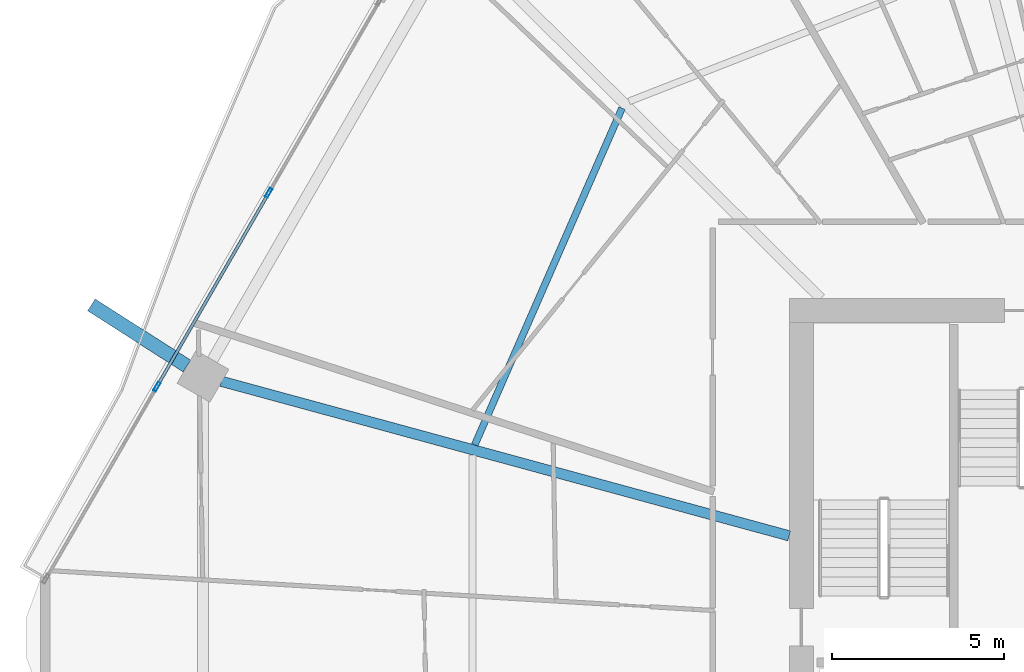
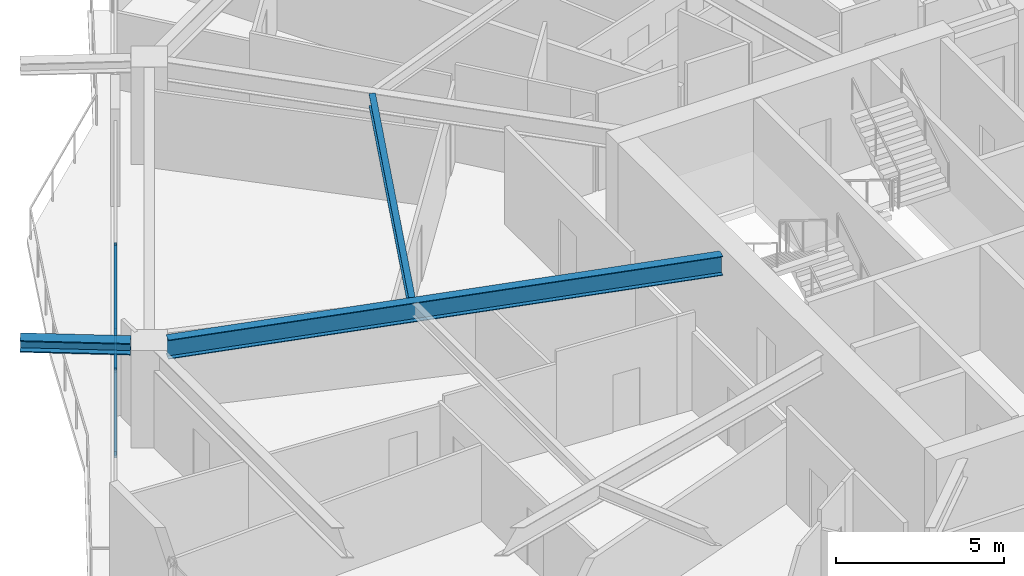
# One storey, part 13 of 33: 4 members, 3 beams, 1 element without a shape of its own.
"""IFC4 building model written with IfcOpenShell, lengths in metres."""

import ifcopenshell
import ifcopenshell.guid

model = None  # the IFC model being written
_history = None  # IfcOwnerHistory: only IFC2X3 demands one
_inside = {}  # id of a spatial element -> (the spatial element, [elements in it])
_under = {}  # id of a project, library or spatial element -> (it, [spatial elements below it])
_declared = {}  # id of a project -> (the project, [libraries it declares])
_typed = {}  # id of a type object -> (the type object, [elements of that type])
_made_of = {}  # id of a material, layer set ... -> (it, [elements and type objects made of it])


def new_model(schema):
    """Start an empty IFC model of exactly this schema.

    Asked for "IFC4X3", IfcOpenShell would pick the latest addendum, in which some entities
    have other attributes; the version numbers below select the first issue.
    IFC2X3 requires an IfcOwnerHistory on every rooted entity: one is made here for all.
    """
    global model, _history
    if schema == "IFC4X3":
        model = ifcopenshell.file(schema_version=(4, 3, 0, 0))
    else:
        model = ifcopenshell.file(schema=schema)
    _inside.clear()
    _under.clear()
    _declared.clear()
    _typed.clear()
    _made_of.clear()
    _history = None
    if model.schema == "IFC2X3":
        org = make("IfcOrganization", Name="unknown")
        user = make(
            "IfcPersonAndOrganization",
            ThePerson=make("IfcPerson", FamilyName="unknown"),
            TheOrganization=org,
        )
        app = make(
            "IfcApplication",
            ApplicationDeveloper=org,
            Version="unknown",
            ApplicationFullName="unknown",
            ApplicationIdentifier="unknown",
        )
        _history = make(
            "IfcOwnerHistory",
            OwningUser=user,
            OwningApplication=app,
            ChangeAction="ADDED",
            CreationDate=0,
        )
    return model


def make(cls, **values):
    """One entity of the class cls with the attributes given. An attribute that is None is left unset."""
    return model.create_entity(
        cls, **{name: value for name, value in values.items() if value is not None}
    )


def rooted(cls, **values):
    """An entity with a GlobalId (a new one), such as an element, a storey or a relation."""
    return make(cls, GlobalId=ifcopenshell.guid.new(), OwnerHistory=_history, **values)


def si_unit(unit_type, name, prefix=None):
    """IfcSIUnit, for example si_unit("LENGTHUNIT", "METRE", prefix="MILLI")."""
    return make("IfcSIUnit", UnitType=unit_type, Prefix=prefix, Name=name)


def assignment(units):
    """IfcUnitAssignment: the units of a project."""
    return None if units is None else make("IfcUnitAssignment", Units=units)


def point(xyz):
    """IfcCartesianPoint."""
    return None if xyz is None else make("IfcCartesianPoint", Coordinates=xyz)


def direction(xyz):
    """IfcDirection."""
    return None if xyz is None else make("IfcDirection", DirectionRatios=xyz)


def frame(location, z_axis=None, x_axis=None):
    """IfcAxis2Placement3D, a coordinate frame: its origin and axes. An axis left out is left unset."""
    return make(
        "IfcAxis2Placement3D",
        Location=point(location),
        Axis=direction(z_axis),
        RefDirection=direction(x_axis),
    )


def frame_2d(location, x_axis=None):
    """IfcAxis2Placement2D, a coordinate frame in the plane: its origin and x axis."""
    return make(
        "IfcAxis2Placement2D", Location=point(location), RefDirection=direction(x_axis)
    )


def origin():
    """The frame at (0, 0, 0) with its axes left unset."""
    return frame((0.0, 0.0, 0.0))


def origin_2d():
    """The frame at (0, 0) in the plane with its x axis left unset."""
    return frame_2d((0.0, 0.0))


def place(relative_to, where):
    """IfcLocalPlacement: puts the frame where relative to a parent placement (None: the world)."""
    return make(
        "IfcLocalPlacement", PlacementRelTo=relative_to, RelativePlacement=where
    )


def context(
    kind, dimensions, precision=None, world=None, true_north=None, identifier=None
):
    """IfcGeometricRepresentationContext, for example the 3D "Model" context."""
    return make(
        "IfcGeometricRepresentationContext",
        ContextIdentifier=identifier,
        ContextType=kind,
        CoordinateSpaceDimension=dimensions,
        Precision=precision,
        WorldCoordinateSystem=world,
        TrueNorth=true_north,
    )


def subcontext(parent, identifier, kind, view, scale=None):
    """IfcGeometricRepresentationSubContext, for example "Body" below "Model"."""
    return make(
        "IfcGeometricRepresentationSubContext",
        ContextIdentifier=identifier,
        ContextType=kind,
        ParentContext=parent,
        TargetScale=scale,
        TargetView=view,
    )


def project(units=None, contexts=None):
    """IfcProject with its units and contexts."""
    return rooted(
        "IfcProject",
        Name="project",
        RepresentationContexts=contexts,
        UnitsInContext=assignment(units),
    )


def spatial(cls, under=None, at=None, **own):
    """A site, building, storey or space (cls), placed at a placement, below another one or the project."""
    s = rooted(cls, ObjectPlacement=at, **own)
    if under is not None:
        _under.setdefault(under.id(), (under, []))[1].append(s)
    return s


def profile(cls, at=None, kind="AREA", **sizes):
    """A parametric profile (cls). Its sizes go by their IFC names, for example OverallWidth=200.0."""
    return make(cls, ProfileType=kind, Position=at, **sizes)


def hollow_rectangle(**sizes):
    """IfcRectangleHollowProfileDef."""
    return profile("IfcRectangleHollowProfileDef", **sizes)


def i_section(**sizes):
    """IfcIShapeProfileDef."""
    return profile("IfcIShapeProfileDef", **sizes)


def extrude(swept, where, along, depth):
    """IfcExtrudedAreaSolid: the profile swept, set in the frame where, extruded along a direction by depth."""
    return make(
        "IfcExtrudedAreaSolid",
        SweptArea=swept,
        Position=where,
        ExtrudedDirection=direction(along),
        Depth=depth,
    )


def shape(context_of_items, identifier, shape_type, items):
    """IfcShapeRepresentation: the items that make up one representation, for example the "Body"."""
    return make(
        "IfcShapeRepresentation",
        ContextOfItems=context_of_items,
        RepresentationIdentifier=identifier,
        RepresentationType=shape_type,
        Items=items,
    )


def material(Name=None, Category=None):
    """IfcMaterial."""
    return make("IfcMaterial", Name=Name, Category=Category)


def material_profile(
    of_material, cross_section, Name=None, Category=None, Priority=None
):
    """IfcMaterialProfile: a cross section and its material."""
    return make(
        "IfcMaterialProfile",
        Name=Name,
        Material=of_material,
        Profile=cross_section,
        Priority=Priority,
        Category=Category,
    )


def profile_set(profiles, Name=None, composite=None):
    """IfcMaterialProfileSet."""
    return make(
        "IfcMaterialProfileSet",
        Name=Name,
        MaterialProfiles=profiles,
        CompositeProfile=composite,
    )


def made_of(thing, what):
    """Note that an element or type object is made of a material, layer set ...; save() writes the relation."""
    if what is not None:
        _made_of.setdefault(what.id(), (what, []))[1].append(thing)
    return thing


def type_object(cls, material=None, **own):
    """A type object (cls), such as IfcWallType, which elements share."""
    return made_of(rooted(cls, **own), material)


def element(
    cls,
    number,
    at=None,
    inside=None,
    cuts=None,
    type_object=None,
    material=None,
    context=None,
    identifier="Body",
    shape_type=None,
    held_by="IfcProductDefinitionShape",
    body=None,
    shapes=None,
    **own,
):
    """One element of the class cls, such as IfcWall. Its Tag is "e" and its number.

    at: its placement. inside: the storey or other place that contains it. cuts: it is an
    opening in that element (IfcRelVoidsElement). A single representation is given by context,
    identifier, shape_type and body (its items); several are given by shapes. held_by: the class
    of the entity that holds the representations. save() writes the other relations.
    """
    e = rooted(cls, Tag="e%d" % number, ObjectPlacement=at, **own)
    if body is not None:
        shapes = [shape(context, identifier, shape_type, body)]
    if shapes is not None:
        e.Representation = make(held_by, Representations=shapes)
    if inside is not None:
        _inside.setdefault(inside.id(), (inside, []))[1].append(e)
    if cuts is not None:
        rooted(
            "IfcRelVoidsElement", RelatingBuildingElement=cuts, RelatedOpeningElement=e
        )
    if type_object is not None:
        _typed.setdefault(type_object.id(), (type_object, []))[1].append(e)
    return made_of(e, material)


def aggregate(whole, parts):
    """IfcRelAggregates: a whole, such as a stair, and the parts it consists of."""
    return rooted("IfcRelAggregates", RelatingObject=whole, RelatedObjects=parts)


def save(model, path):
    """Write the relations noted so far, then the file.

    IfcRelAggregates (storeys below a building ...), IfcRelContainedInSpatialStructure (elements
    in a storey), IfcRelDefinesByType, IfcRelAssociatesMaterial and IfcRelDeclares: one each for
    every whole, place, type object, material and project.
    """
    for whole, parts in _under.values():
        aggregate(whole, parts)
    for where, things in _inside.values():
        rooted(
            "IfcRelContainedInSpatialStructure",
            RelatedElements=things,
            RelatingStructure=where,
        )
    for kind, things in _typed.values():
        rooted("IfcRelDefinesByType", RelatedObjects=things, RelatingType=kind)
    for what, things in _made_of.values():
        rooted("IfcRelAssociatesMaterial", RelatedObjects=things, RelatingMaterial=what)
    for by, libraries in _declared.values():
        rooted("IfcRelDeclares", RelatingContext=by, RelatedDefinitions=libraries)
    model.write(path)


model = new_model("IFC4")

# Units and contexts
model_context = context("Model", 3, precision=1e-05, world=origin(), true_north=direction((0.0, 1.0)))
body_context = subcontext(model_context, "Body", "Model", "MODEL_VIEW")
ifc_project = project(units=[si_unit("LENGTHUNIT", "METRE"), si_unit("AREAUNIT", "SQUARE_METRE"), si_unit("VOLUMEUNIT", "CUBIC_METRE"), si_unit("PLANEANGLEUNIT", "RADIAN"), si_unit("MASSUNIT", "GRAM", prefix="KILO")], contexts=[model_context])

# Site, building, storey
site_placement = place(None, origin())
site = spatial("IfcSite", under=ifc_project, at=site_placement, CompositionType="ELEMENT")
building_placement = place(site_placement, origin())
building = spatial("IfcBuilding", under=site, at=building_placement, Name="Zuhravey Tower", CompositionType="ELEMENT")
storey_placement = place(building_placement, frame((0.0, 0.0, 96.199951171875)))
storey = spatial("IfcBuildingStorey", under=building, at=storey_placement, Name="L23", CompositionType="ELEMENT", Elevation=96.199951171875)

# Curtain wall, members
ifc_material_1 = material(Name="Thermally broken anodised aluminium", Category="aluminium")
curtain_wall_type = type_object("IfcCurtainWallType", Name="Zone 1-2 Residential Curtain Wall CW3", PredefinedType="NOTDEFINED", material=ifc_material_1)
curtain_wall_placement = place(storey_placement, origin())
curtain_wall = element("IfcCurtainWall", 1, at=curtain_wall_placement, inside=storey, type_object=curtain_wall_type, Name="L23 CW3 CW-L23-F3-1", PredefinedType="NOTDEFINED")
ifc_material_2 = material(Name="Anodised aluminium", Category="aluminium")
ifc_material_profile_1 = material_profile(ifc_material_2, hollow_rectangle(XDim=0.090087890625, YDim=0.284912109375, WallThickness=0.0048828125, at=origin_2d()), Name="ALU-RHS-90x285x5")
ifc_profile_set_1 = profile_set([ifc_material_profile_1], Name="Anodised aluminium")
member_type_1 = type_object("IfcMemberType", Name="Curtain-Wall Mullion 90x180", PredefinedType="MULLION", material=ifc_profile_set_1)
member_1_placement = place(storey_placement, frame((6.771484375, 39.29150390625, 0.0), z_axis=(0.0, 0.0, 1.0), x_axis=(-0.866025119566, 0.50000049228, 0.0)))
member_1 = element("IfcMember", 2, at=member_1_placement, type_object=member_type_1, Name="CW3 mullion 2", PredefinedType="MULLION", context=body_context, shape_type="SweptSolid", body=[
    extrude(hollow_rectangle(XDim=0.090087890625, YDim=0.284912109375, WallThickness=0.0048828125, at=origin_2d()), origin(), (0.0, 0.0, 1.0), 3.1220703125),
])
member_2_placement = place(storey_placement, frame((10.021484375, 44.920654296875, 0.0), z_axis=(0.0, 0.0, 1.0), x_axis=(-0.866025119566, 0.50000049228, 0.0)))
member_2 = element("IfcMember", 3, at=member_2_placement, type_object=member_type_1, Name="CW3 mullion 3", PredefinedType="MULLION", context=body_context, shape_type="SweptSolid", body=[
    extrude(hollow_rectangle(XDim=0.090087890625, YDim=0.284912109375, WallThickness=0.0048828125, at=origin_2d()), origin(), (0.0, 0.0, 1.0), 3.1220703125),
])
ifc_material_profile_2 = material_profile(ifc_material_2, hollow_rectangle(XDim=0.090087890625, YDim=0.14990234375, WallThickness=0.0048828125, at=origin_2d()), Name="ALU-RHS-90x150x5")
ifc_profile_set_2 = profile_set([ifc_material_profile_2], Name="Anodised aluminium")
member_type_2 = type_object("IfcMemberType", Name="Curtain-Wall Transom 90x150", PredefinedType="USERDEFINED", material=ifc_profile_set_2)
member_3_placement = place(storey_placement, frame((6.7939453125, 39.33056640625, 0.045166015625), z_axis=(0.500005986668, 0.866021947353, 0.0), x_axis=(-0.866021947353, 0.500005986668, 0.0)))
member_3 = element("IfcMember", 4, at=member_3_placement, type_object=member_type_2, Name="CW3 transom 2.1", ObjectType="TRANSOM", PredefinedType="USERDEFINED", context=body_context, shape_type="SweptSolid", body=[
    extrude(hollow_rectangle(XDim=0.090087890625, YDim=0.14990234375, WallThickness=0.0048828125, at=origin_2d()), origin(), (0.0, 0.0, 1.0), 6.41015625),
])
member_4_placement = place(storey_placement, frame((6.7939453125, 39.33056640625, 3.0771484375), z_axis=(0.500005986668, 0.866021947353, 0.0), x_axis=(-0.866021947353, 0.500005986668, 0.0)))
member_4 = element("IfcMember", 5, at=member_4_placement, type_object=member_type_2, Name="CW3 transom 2.2", ObjectType="TRANSOM", PredefinedType="USERDEFINED", context=body_context, shape_type="SweptSolid", body=[
    extrude(hollow_rectangle(XDim=0.090087890625, YDim=0.14990234375, WallThickness=0.0048828125, at=origin_2d()), origin(), (0.0, 0.0, 1.0), 6.41015625),
])
aggregate(curtain_wall, [member_1, member_2, member_3, member_4])

# Beams
ifc_material_3 = material(Name="Steel SM460", Category="steel")
ifc_material_profile_3 = material_profile(ifc_material_3, i_section(OverallWidth=0.406982421875, OverallDepth=0.427978515625, WebThickness=0.02001953125, FlangeThickness=0.034912109375, at=origin_2d()), Name="H-428x407x20x35")
ifc_profile_set_3 = profile_set([ifc_material_profile_3], Name="Steel SM460")
beam_type_1 = type_object("IfcBeamType", Name="Exoskeleton Node Tie Beam H428x407", PredefinedType="BEAM", material=ifc_profile_set_3)
beam_1_placement = place(storey_placement, frame((7.643798828125, 39.890380859375, 3.3359375), z_axis=(-0.842334647806, 0.538954859989, 0.0), x_axis=(-0.538954859989, -0.842334647806, 0.0)))
element("IfcBeam", 6, at=beam_1_placement, inside=storey, type_object=beam_type_1, Name="L23 Exoskeleton Node Tie NT1-06", PredefinedType="BEAM", context=body_context, shape_type="SweptSolid", body=[
    extrude(i_section(OverallWidth=0.406982421875, OverallDepth=0.427978515625, WebThickness=0.02001953125, FlangeThickness=0.034912109375, at=origin_2d()), origin(), (0.0, 0.0, 1.0), 3.294677734375),
])
ifc_material_4 = material(Name="Steel SM355", Category="steel")
ifc_material_profile_4 = material_profile(ifc_material_4, i_section(OverallWidth=0.300048828125, OverallDepth=0.699951171875, WebThickness=0.012939453125, FlangeThickness=0.02392578125, at=origin_2d()), Name="H-700x300x13x24")
ifc_profile_set_4 = profile_set([ifc_material_profile_4], Name="Steel SM355")
beam_type_2 = type_object("IfcBeamType", Name="Radial Primary Girder H700x300", PredefinedType="BEAM", material=ifc_profile_set_4)
beam_2_placement = place(storey_placement, frame((25.14697265625, 34.954345703125, 3.199951171875), z_axis=(-0.964893166225, 0.262642680791, 0.0), x_axis=(-0.262642680791, -0.964893166225, 0.0)))
element("IfcBeam", 7, at=beam_2_placement, inside=storey, type_object=beam_type_2, Name="L23 RG1 BM-L23-RAD-06", PredefinedType="BEAM", context=body_context, shape_type="SweptSolid", body=[
    extrude(i_section(OverallWidth=0.300048828125, OverallDepth=0.699951171875, WebThickness=0.012939453125, FlangeThickness=0.02392578125, at=origin_2d()), origin(), (0.0, 0.0, 1.0), 17.102783203125),
])
ifc_material_profile_5 = material_profile(ifc_material_4, i_section(OverallWidth=0.199951171875, OverallDepth=0.449951171875, WebThickness=0.009033203125, FlangeThickness=0.013916015625, at=origin_2d()), Name="H-450x200x9x14")
ifc_profile_set_5 = profile_set([ifc_material_profile_5], Name="Steel SM355")
beam_type_3 = type_object("IfcBeamType", Name="Secondary Floor Joist H450x200", PredefinedType="JOIST", material=ifc_profile_set_5)
beam_3_placement = place(storey_placement, frame((20.28955078125, 47.384033203125, 3.324951171875), z_axis=(-0.400786454617, -0.916171500209, 0.0), x_axis=(0.916171500209, -0.400786454617, 0.0)))
element("IfcBeam", 8, at=beam_3_placement, inside=storey, type_object=beam_type_3, Name="L23 SJ1 BM-L23-SJ-05-1", PredefinedType="JOIST", context=body_context, shape_type="SweptSolid", body=[
    extrude(i_section(OverallWidth=0.199951171875, OverallDepth=0.449951171875, WebThickness=0.009033203125, FlangeThickness=0.013916015625, at=origin_2d()), origin(), (0.0, 0.0, 1.0), 10.6796875),
])

save(model, "model.ifc")
